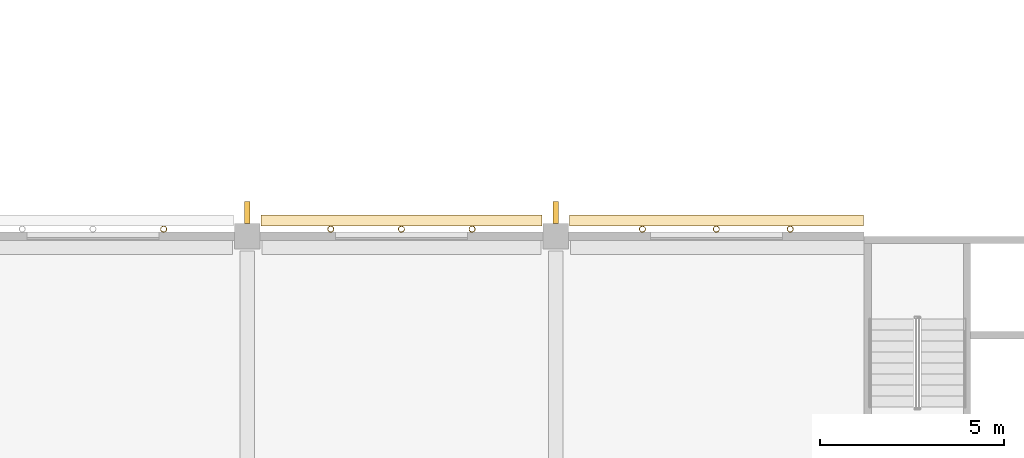
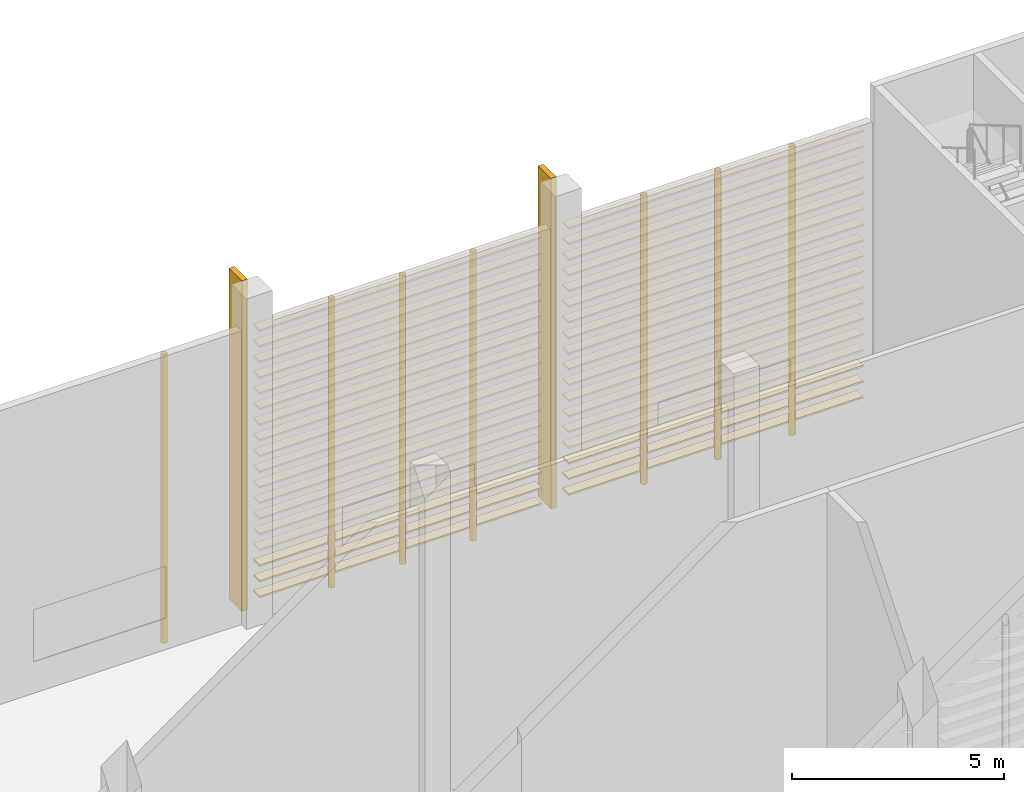
# One storey, part 80 of 114: 36 coverings, 9 shading devices.
"""IFC4 building model written with IfcOpenShell, lengths in metres."""

from ifc_helpers import new_model, si_unit, direction, frame, origin, origin_2d, place, context, subcontext, project, spatial, rectangle, hollow_circle, extrude, material, material_profile, profile_set, type_object, element, save


model = new_model("IFC4")

# Units and contexts
model_context = context("Model", 3, precision=1e-05, world=origin(), true_north=direction((0.0, 1.0)))
body_context = subcontext(model_context, "Body", "Model", "MODEL_VIEW")
ifc_project = project(units=[si_unit("LENGTHUNIT", "METRE"), si_unit("AREAUNIT", "SQUARE_METRE"), si_unit("VOLUMEUNIT", "CUBIC_METRE"), si_unit("PLANEANGLEUNIT", "RADIAN"), si_unit("MASSUNIT", "GRAM", prefix="KILO")], contexts=[model_context])

# Site, building, storey
site_placement = place(None, origin())
site = spatial("IfcSite", under=ifc_project, at=site_placement, CompositionType="ELEMENT")
building_placement = place(site_placement, origin())
building = spatial("IfcBuilding", under=site, at=building_placement, Name="Almond Square Museum", CompositionType="ELEMENT")
storey_placement = place(building_placement, frame((0.0, 0.0, 10.5)))
storey = spatial("IfcBuildingStorey", under=building, at=storey_placement, Name="L02", CompositionType="ELEMENT", Elevation=10.5)

# Shading devices
ifc_material_1 = material(Name="Structural steel S355", Category="steel")
ifc_material_profile_1 = material_profile(ifc_material_1, hollow_circle(Radius=0.084228515625, WallThickness=0.008056640625, at=origin_2d()))
ifc_profile_set_1 = profile_set([ifc_material_profile_1], Name="Structural steel S355")
shading_device_type_1 = type_object("IfcShadingDeviceType", Name="Louvre post CHS 168.3 x 8", PredefinedType="USERDEFINED", material=ifc_profile_set_1)
for number, where, z_axis, x_axis, name in (
    (1, (50.362548828125, 16.994140625, 0.0), (0.0, 0.0, 1.0), (1.0, 0.0, 0.0), "Louvre screen post"),
    (2, (52.375, 16.994140625, 0.0), (0.0, 0.0, 1.0), (1.0, 0.0, 0.0), "Louvre screen post"),
    (3, (54.387451171875, 16.994140625, 0.0), (0.0, 0.0, 1.0), (1.0, 0.0, 0.0), "Louvre screen post"),
    (4, (41.875, 16.994140625, 0.0), (0.0, 0.0, 1.0), (1.0, 0.0, 0.0), "Louvre screen post"),
    (5, (43.800048828125, 16.994140625, 0.0), (0.0, 0.0, 1.0), (1.0, 0.0, 0.0), "Louvre screen post"),
    (6, (45.72509765625, 16.994140625, 0.0), (0.0, 0.0, 1.0), (1.0, 0.0, 0.0), "Louvre screen post"),
    (7, (37.324951171875, 16.994140625, 0.0), (0.0, 0.0, 1.0), (1.0, 0.0, 0.0), "Louvre screen post"),
):
    element("IfcShadingDevice", number, at=place(storey_placement, frame(where, z_axis=z_axis, x_axis=x_axis)), inside=storey, type_object=shading_device_type_1, Name=name, ObjectType="POST", PredefinedType="USERDEFINED", context=body_context, shape_type="SweptSolid", body=[
        extrude(hollow_circle(Radius=0.084228515625, WallThickness=0.008056640625, at=origin_2d()), origin(), (0.0, 0.0, 1.0), 8.300048828125),
    ])

# Coverings
ifc_material_2 = material(Name="Cedar timber louvre board", Category="wood")
ifc_material_profile_2 = material_profile(ifc_material_2, rectangle(XDim=0.300048828125, YDim=0.050048828125, at=origin_2d()))
ifc_profile_set_2 = profile_set([ifc_material_profile_2], Name="Cedar timber louvre board")
covering_type = type_object("IfcCoveringType", Name="Louvre screen board 300 x 50", PredefinedType="CLADDING", material=ifc_profile_set_2)
for number, where, z_axis, x_axis, name in (
    (8, (48.3701171875, 17.224365234375, 0.300048828125), (1.0, 0.0, 0.0), (0.0, 1.0, 0.0), "Louvre screen board"),
    (9, (48.3701171875, 17.224365234375, 0.75), (1.0, 0.0, 0.0), (0.0, 1.0, 0.0), "Louvre screen board"),
    (10, (48.3701171875, 17.224365234375, 1.199951171875), (1.0, 0.0, 0.0), (0.0, 1.0, 0.0), "Louvre screen board"),
    (11, (48.3701171875, 17.224365234375, 1.64990234375), (1.0, 0.0, 0.0), (0.0, 1.0, 0.0), "Louvre screen board"),
    (12, (48.3701171875, 17.224365234375, 2.10009765625), (1.0, 0.0, 0.0), (0.0, 1.0, 0.0), "Louvre screen board"),
    (13, (48.3701171875, 17.224365234375, 2.550048828125), (1.0, 0.0, 0.0), (0.0, 1.0, 0.0), "Louvre screen board"),
    (14, (48.3701171875, 17.224365234375, 3.0), (1.0, 0.0, 0.0), (0.0, 1.0, 0.0), "Louvre screen board"),
    (15, (48.3701171875, 17.224365234375, 3.449951171875), (1.0, 0.0, 0.0), (0.0, 1.0, 0.0), "Louvre screen board"),
    (16, (48.3701171875, 17.224365234375, 3.89990234375), (1.0, 0.0, 0.0), (0.0, 1.0, 0.0), "Louvre screen board"),
    (17, (48.3701171875, 17.224365234375, 4.35009765625), (1.0, 0.0, 0.0), (0.0, 1.0, 0.0), "Louvre screen board"),
    (18, (48.3701171875, 17.224365234375, 4.800048828125), (1.0, 0.0, 0.0), (0.0, 1.0, 0.0), "Louvre screen board"),
    (19, (48.3701171875, 17.224365234375, 5.25), (1.0, 0.0, 0.0), (0.0, 1.0, 0.0), "Louvre screen board"),
    (20, (48.3701171875, 17.224365234375, 5.699951171875), (1.0, 0.0, 0.0), (0.0, 1.0, 0.0), "Louvre screen board"),
    (21, (48.3701171875, 17.224365234375, 6.14990234375), (1.0, 0.0, 0.0), (0.0, 1.0, 0.0), "Louvre screen board"),
    (22, (48.3701171875, 17.224365234375, 6.60009765625), (1.0, 0.0, 0.0), (0.0, 1.0, 0.0), "Louvre screen board"),
    (23, (48.3701171875, 17.224365234375, 7.050048828125), (1.0, 0.0, 0.0), (0.0, 1.0, 0.0), "Louvre screen board"),
    (24, (48.3701171875, 17.224365234375, 7.5), (1.0, 0.0, 0.0), (0.0, 1.0, 0.0), "Louvre screen board"),
    (25, (48.3701171875, 17.224365234375, 7.949951171875), (1.0, 0.0, 0.0), (0.0, 1.0, 0.0), "Louvre screen board"),
):
    element("IfcCovering", number, at=place(storey_placement, frame(where, z_axis=z_axis, x_axis=x_axis)), inside=storey, type_object=covering_type, Name=name, PredefinedType="CLADDING", context=body_context, shape_type="SweptSolid", body=[
        extrude(rectangle(XDim=0.300048828125, YDim=0.050048828125, at=origin_2d()), origin(), (0.0, 0.0, 1.0), 8.009765625),
    ])
for number, where, z_axis, x_axis, name in (
    (26, (39.969970703125, 17.224365234375, 0.300048828125), (1.0, 0.0, 0.0), (0.0, 1.0, 0.0), "Louvre screen board"),
    (27, (39.969970703125, 17.224365234375, 0.75), (1.0, 0.0, 0.0), (0.0, 1.0, 0.0), "Louvre screen board"),
    (28, (39.969970703125, 17.224365234375, 1.199951171875), (1.0, 0.0, 0.0), (0.0, 1.0, 0.0), "Louvre screen board"),
    (29, (39.969970703125, 17.224365234375, 1.64990234375), (1.0, 0.0, 0.0), (0.0, 1.0, 0.0), "Louvre screen board"),
    (30, (39.969970703125, 17.224365234375, 2.10009765625), (1.0, 0.0, 0.0), (0.0, 1.0, 0.0), "Louvre screen board"),
    (31, (39.969970703125, 17.224365234375, 2.550048828125), (1.0, 0.0, 0.0), (0.0, 1.0, 0.0), "Louvre screen board"),
    (32, (39.969970703125, 17.224365234375, 3.0), (1.0, 0.0, 0.0), (0.0, 1.0, 0.0), "Louvre screen board"),
    (33, (39.969970703125, 17.224365234375, 3.449951171875), (1.0, 0.0, 0.0), (0.0, 1.0, 0.0), "Louvre screen board"),
    (34, (39.969970703125, 17.224365234375, 3.89990234375), (1.0, 0.0, 0.0), (0.0, 1.0, 0.0), "Louvre screen board"),
    (35, (39.969970703125, 17.224365234375, 4.35009765625), (1.0, 0.0, 0.0), (0.0, 1.0, 0.0), "Louvre screen board"),
    (36, (39.969970703125, 17.224365234375, 4.800048828125), (1.0, 0.0, 0.0), (0.0, 1.0, 0.0), "Louvre screen board"),
    (37, (39.969970703125, 17.224365234375, 5.25), (1.0, 0.0, 0.0), (0.0, 1.0, 0.0), "Louvre screen board"),
    (38, (39.969970703125, 17.224365234375, 5.699951171875), (1.0, 0.0, 0.0), (0.0, 1.0, 0.0), "Louvre screen board"),
    (39, (39.969970703125, 17.224365234375, 6.14990234375), (1.0, 0.0, 0.0), (0.0, 1.0, 0.0), "Louvre screen board"),
    (40, (39.969970703125, 17.224365234375, 6.60009765625), (1.0, 0.0, 0.0), (0.0, 1.0, 0.0), "Louvre screen board"),
    (41, (39.969970703125, 17.224365234375, 7.050048828125), (1.0, 0.0, 0.0), (0.0, 1.0, 0.0), "Louvre screen board"),
    (42, (39.969970703125, 17.224365234375, 7.5), (1.0, 0.0, 0.0), (0.0, 1.0, 0.0), "Louvre screen board"),
    (43, (39.969970703125, 17.224365234375, 7.949951171875), (1.0, 0.0, 0.0), (0.0, 1.0, 0.0), "Louvre screen board"),
):
    element("IfcCovering", number, at=place(storey_placement, frame(where, z_axis=z_axis, x_axis=x_axis)), inside=storey, type_object=covering_type, Name=name, PredefinedType="CLADDING", context=body_context, shape_type="SweptSolid", body=[
        extrude(rectangle(XDim=0.300048828125, YDim=0.050048828125, at=origin_2d()), origin(), (0.0, 0.0, 1.0), 7.659912109375),
    ])

# Shading devices
ifc_material_3 = material(Name="Cedar timber fin", Category="wood")
shading_device_type_2 = type_object("IfcShadingDeviceType", Name="Timber storm fin 150 x 600", PredefinedType="USERDEFINED", material=ifc_material_3)
for number, where, z_axis, x_axis, name in (
    (44, (39.60009765625, 17.449951171875, 0.0), (0.0, 0.0, 1.0), (1.0, 0.0, 0.0), "Timber storm fin"),
    (45, (48.0, 17.449951171875, 0.0), (0.0, 0.0, 1.0), (1.0, 0.0, 0.0), "Timber storm fin"),
):
    element("IfcShadingDevice", number, at=place(storey_placement, frame(where, z_axis=z_axis, x_axis=x_axis)), inside=storey, type_object=shading_device_type_2, Name=name, ObjectType="FIN", PredefinedType="USERDEFINED", context=body_context, shape_type="SweptSolid", body=[
        extrude(rectangle(XDim=0.14990234375, YDim=0.60009765625, at=origin_2d()), origin(), (0.0, 0.0, 1.0), 9.5),
    ])

save(model, "model.ifc")
